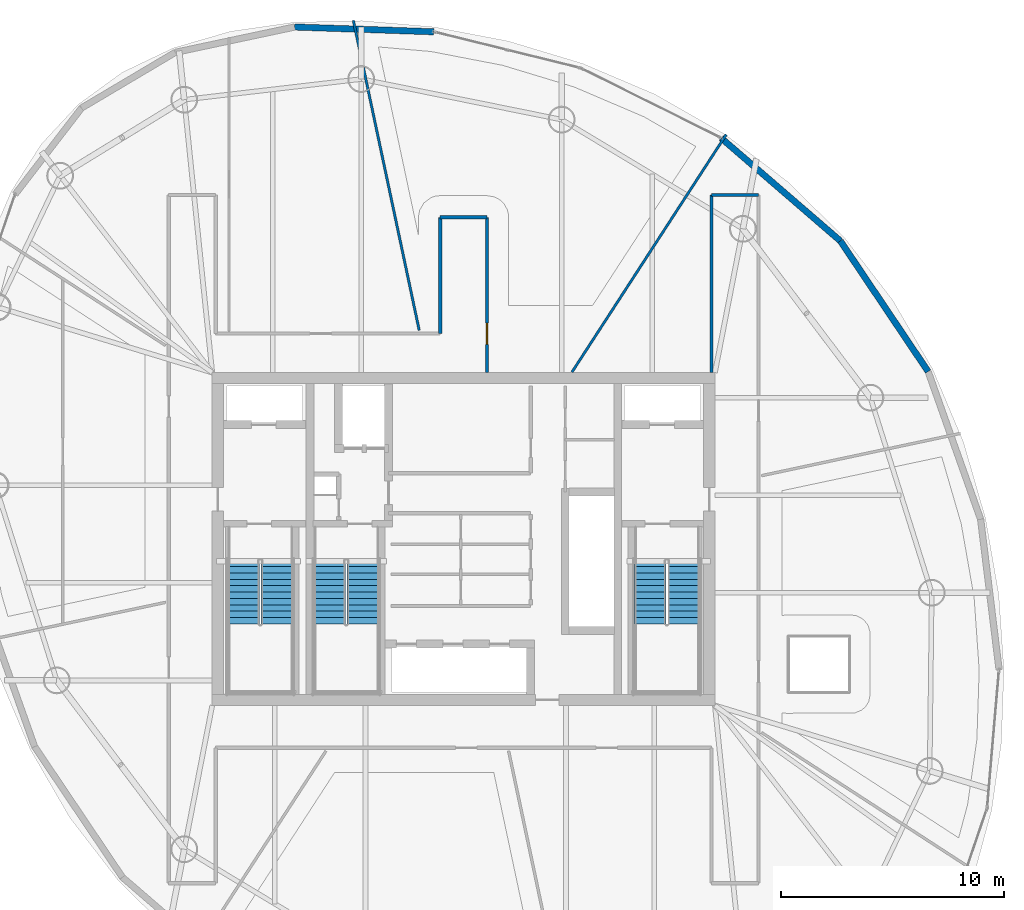
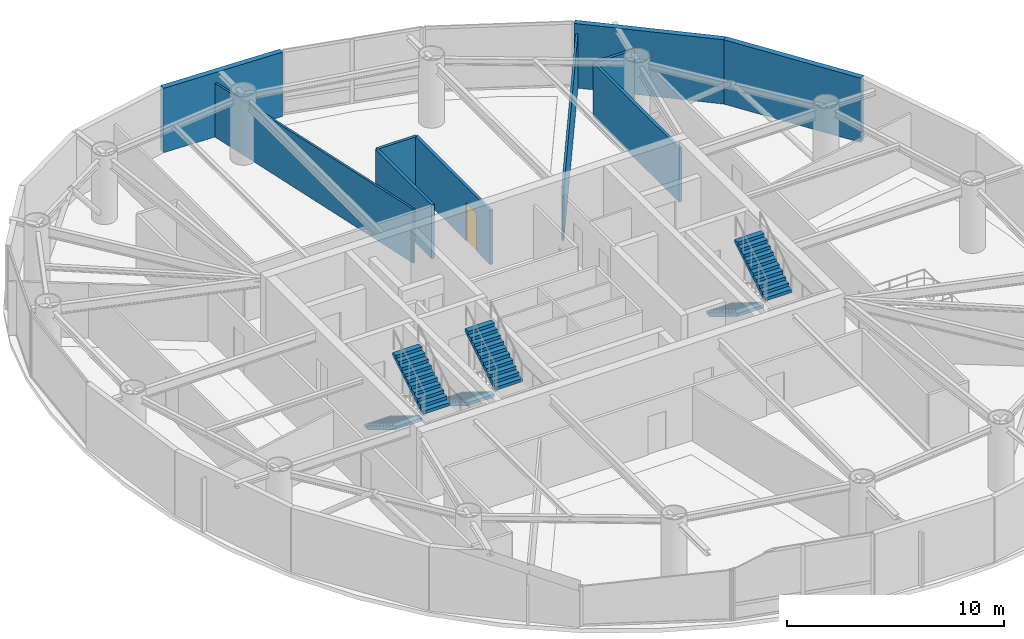
# One storey, part 18 of 22: 10 walls, 6 stair flights, 1 door, 1 opening, 3 elements without a shape of their own.
"""IFC4 building model written with IfcOpenShell, lengths in metres."""

from ifc_helpers import new_model, si_unit, direction, frame, frame_2d, origin, place, context, subcontext, project, spatial, polyline, rectangle, outline, extrude, material, layer, layer_set, type_object, element, fill, aggregate, save


model = new_model("IFC4")

# Units and contexts
model_context = context("Model", 3, precision=1e-05, world=origin(), true_north=direction((0.0, 1.0)))
body_context = subcontext(model_context, "Body", "Model", "MODEL_VIEW")
ifc_project = project(units=[si_unit("LENGTHUNIT", "METRE"), si_unit("AREAUNIT", "SQUARE_METRE"), si_unit("VOLUMEUNIT", "CUBIC_METRE"), si_unit("PLANEANGLEUNIT", "RADIAN"), si_unit("MASSUNIT", "GRAM", prefix="KILO")], contexts=[model_context])

# Site, building, storey
site_placement = place(None, origin())
site = spatial("IfcSite", under=ifc_project, at=site_placement, CompositionType="ELEMENT")
building_placement = place(site_placement, origin())
building = spatial("IfcBuilding", under=site, at=building_placement, Name="Bramvorn Convention Spire", CompositionType="ELEMENT")
storey_placement = place(building_placement, frame((0.0, 0.0, 225.10009765625)))
storey = spatial("IfcBuildingStorey", under=building, at=storey_placement, Name="L57", CompositionType="ELEMENT", Elevation=225.10009765625)

# Walls
ifc_material_1 = material(Name="Precast Concrete C40/50 with Bronze Terracotta Rainscreen", Category="masonry")
ifc_layer_1 = layer(ifc_material_1, 0.300048828125)
ifc_layer_set_1 = layer_set([ifc_layer_1], Name="Precast Concrete C40/50 with Bronze Terracotta Rainscreen - WL-EXT-BRONZE-300")
wall_type_1 = type_object("IfcWallType", Name="WL-EXT-BRONZE-300", PredefinedType="SOLIDWALL", material=ifc_layer_set_1)
wall_1_placement = place(storey_placement, frame((54.864013671875, 39.3427734375, 0.0), z_axis=(0.0, 0.0, 1.0), x_axis=(0.557791037404, -0.829981420631, 0.0)))
element("IfcWall", 1, at=wall_1_placement, inside=storey, type_object=wall_type_1, Name="L57 expressed bronze Gothic lancet pier wall 06", PredefinedType="SOLIDWALL", context=body_context, shape_type="SweptSolid", body=[
    extrude(rectangle(XDim=7.04541015625, YDim=0.280029296875, at=frame_2d((3.522705078125, 0.0))), origin(), (0.0, 0.0, 1.0), 3.619873046875),
])
wall_2_placement = place(storey_placement, frame((49.53076171875, 43.94677734375, 0.0), z_axis=(0.0, 0.0, 1.0), x_axis=(0.756962457783, -0.65345836708, 0.0)))
element("IfcWall", 2, at=wall_2_placement, inside=storey, type_object=wall_type_1, Name="L57 expressed bronze Gothic lancet pier wall 07", PredefinedType="SOLIDWALL", context=body_context, shape_type="SweptSolid", body=[
    extrude(rectangle(XDim=7.045654296875, YDim=0.280029296875, at=frame_2d((3.52294921875, 0.0))), origin(), (0.0, 0.0, 1.0), 3.619873046875),
])
wall_3_placement = place(storey_placement, frame((30.439697265625, 48.917236328125, 0.0), z_axis=(0.0, 0.0, 1.0), x_axis=(0.999408557878, -0.03438799848, 0.0)))
element("IfcWall", 3, at=wall_3_placement, inside=storey, type_object=wall_type_1, Name="L57 expressed bronze Gothic lancet pier wall 10", PredefinedType="SOLIDWALL", context=body_context, shape_type="SweptSolid", body=[
    extrude(rectangle(XDim=6.226318359375, YDim=0.280029296875, at=frame_2d((3.11328125, 0.0))), origin(), (0.0, 0.0, 1.0), 3.619873046875),
])
ifc_material_2 = material(Name="Lightweight En-Suite & Wet-Wall Partition", Category="gypsum")
ifc_layer_2 = layer(ifc_material_2, 0.110107421875)
ifc_layer_set_2 = layer_set([ifc_layer_2], Name="Lightweight En-Suite & Wet-Wall Partition - WL-PART-110")
wall_type_2 = type_object("IfcWallType", Name="WL-PART-110", PredefinedType="PARTITIONING", material=ifc_layer_set_2)
wall_4_placement = place(storey_placement, frame((42.85107421875, 33.469970703125, 0.0), z_axis=(0.0, 0.0, 1.0), x_axis=(0.544639202203, 0.838670459372, 0.0)))
element("IfcWall", 4, at=wall_4_placement, inside=storey, type_object=wall_type_2, Name="L57 Tenant suite partition 2", PredefinedType="PARTITIONING", context=body_context, shape_type="SweptSolid", body=[
    extrude(rectangle(XDim=12.68408203125, YDim=0.110107421875, at=frame_2d((6.342041015625, 0.0))), origin(), (0.0, 0.0, 1.0), 3.034912109375),
])
wall_5_placement = place(storey_placement, frame((36.0146484375, 35.340087890625, 0.0), z_axis=(0.0, 0.0, 1.0), x_axis=(-0.207907317932, 0.978148530209, 0.0)))
element("IfcWall", 5, at=wall_5_placement, inside=storey, type_object=wall_type_2, Name="L57 Tenant suite partition 3", PredefinedType="PARTITIONING", context=body_context, shape_type="SweptSolid", body=[
    extrude(rectangle(XDim=14.18994140625, YDim=0.110107421875, at=frame_2d((7.094970703125, 0.0))), origin(), (0.0, 0.0, 1.0), 3.034912109375),
])
ifc_material_3 = material(Name="Acoustic Metal-Stud Tenant/Corridor Partition", Category="gypsum")
ifc_layer_3 = layer(ifc_material_3, 0.14990234375)
ifc_layer_set_3 = layer_set([ifc_layer_3], Name="Acoustic Metal-Stud Tenant/Corridor Partition - WL-PART-150")
wall_type_3 = type_object("IfcWallType", Name="WL-PART-150", PredefinedType="PARTITIONING", material=ifc_layer_set_3)
wall_6_placement = place(storey_placement, frame((49.10009765625, 33.449951171875, 0.0), z_axis=(0.0, 0.0, 1.0), x_axis=(0.0, 1.0, 0.0)))
element("IfcWall", 6, at=wall_6_placement, inside=storey, type_object=wall_type_3, Name="L57 East gallery NW wall", PredefinedType="PARTITIONING", context=body_context, shape_type="SweptSolid", body=[
    extrude(rectangle(XDim=7.949951171875, YDim=0.14990234375, at=frame_2d((3.97509765625, 0.0))), origin(), (0.0, 0.0, 1.0), 3.034912109375),
])
wall_7_placement = place(storey_placement, frame((49.10009765625, 41.39990234375, 0.0), z_axis=(0.0, 0.0, 1.0), x_axis=(1.0, 0.0, 0.0)))
element("IfcWall", 7, at=wall_7_placement, inside=storey, type_object=wall_type_3, Name="L57 East gallery north end", PredefinedType="PARTITIONING", context=body_context, shape_type="SweptSolid", body=[
    extrude(rectangle(XDim=2.099853515625, YDim=0.14990234375, at=frame_2d((1.0498046875, 0.0))), origin(), (0.0, 0.0, 1.0), 3.034912109375),
])
wall_8_placement = place(storey_placement, frame((36.949951171875, 35.199951171875, 0.0), z_axis=(0.0, 0.0, 1.0), x_axis=(0.0, 1.0, 0.0)))
element("IfcWall", 8, at=wall_8_placement, inside=storey, type_object=wall_type_3, Name="L57 North spur west wall", PredefinedType="PARTITIONING", context=body_context, shape_type="SweptSolid", body=[
    extrude(rectangle(XDim=5.199951171875, YDim=0.14990234375, at=frame_2d((2.60009765625, 0.0))), origin(), (0.0, 0.0, 1.0), 3.034912109375),
])

# Wall, opening, door
wall_9_placement = place(storey_placement, frame((39.050048828125, 33.449951171875, 0.0), z_axis=(0.0, 0.0, 1.0), x_axis=(0.0, 1.0, 0.0)))
wall_9 = element("IfcWall", 9, at=wall_9_placement, inside=storey, type_object=wall_type_3, Name="L57 North spur east wall", PredefinedType="PARTITIONING", context=body_context, shape_type="SweptSolid", body=[
    extrude(rectangle(XDim=6.949951171875, YDim=0.14990234375, at=frame_2d((3.47509765625, 0.0))), origin(), (0.0, 0.0, 1.0), 3.034912109375),
])
opening_placement = place(wall_9_placement, frame((1.262451171875, 0.0, 0.0)))
opening = element("IfcOpeningElement", 10, at=opening_placement, cuts=wall_9, Name="Opening DH-095", PredefinedType="OPENING", context=body_context, shape_type="SweptSolid", body=[
    extrude(rectangle(XDim=0.949951171875, YDim=2.14990234375, at=frame_2d((0.47509765625, 1.074951171875))), frame((0.0, 0.0849609375, 0.0), z_axis=(0.0, -1.0, 0.0), x_axis=(1.0, 0.0, 0.0)), (0.0, 0.0, 1.0), 0.169921875),
])
ifc_material_4 = material(Name="Solid-Core Acoustic Guestroom Entry Door", Category="wood")
door_type = type_object("IfcDoorType", Name="DR-HOTEL-950", OperationType="NOTDEFINED", PredefinedType="DOOR", material=ifc_material_4)
door_placement = place(opening_placement, origin())
door = element("IfcDoor", 11, at=door_placement, inside=storey, type_object=door_type, Name="L57 Partner Office Chamber 2 2 door", OperationType="SINGLE_SWING_LEFT", OverallHeight=2.14990234375, OverallWidth=0.949951171875, PredefinedType="DOOR", context=body_context, shape_type="SweptSolid", body=[
    extrude(rectangle(XDim=0.949951171875, YDim=2.14990234375, at=frame_2d((0.47509765625, 1.074951171875))), frame((0.0, 0.02490234375, 0.0), z_axis=(0.0, -1.0, 0.0), x_axis=(1.0, 0.0, 0.0)), (0.0, 0.0, 1.0), 0.050048828125),
])
fill(opening, door)

# Wall
wall_10_placement = place(storey_placement, frame((36.949951171875, 40.39990234375, 0.0), z_axis=(0.0, 0.0, 1.0), x_axis=(1.0, 0.0, 0.0)))
element("IfcWall", 12, at=wall_10_placement, inside=storey, type_object=wall_type_3, Name="L57 North spur end wall", PredefinedType="PARTITIONING", context=body_context, shape_type="SweptSolid", body=[
    extrude(rectangle(XDim=2.10009765625, YDim=0.14990234375, at=frame_2d((1.050048828125, 0.0))), origin(), (0.0, 0.0, 1.0), 3.034912109375),
])

# Stair, stair flights
ifc_material_5 = material(Name="Concrete C40/50 Precast Stair", Category="concrete")
stair_type = type_object("IfcStairType", Name="ST-TOWER-1550", PredefinedType="HALF_TURN_STAIR", material=ifc_material_5)
stair_1_placement = place(storey_placement, origin())
stair_1 = element("IfcStair", 13, at=stair_1_placement, inside=storey, type_object=stair_type, Name="L57 Protected Exit Stair ST1", PredefinedType="HALF_TURN_STAIR")
ifc_material_6 = material(Name="Concrete C40/50 Precast Stair Flight", Category="concrete")
stair_flight_type = type_object("IfcStairFlightType", Name="STF-TOWER-1550", PredefinedType="STRAIGHT", material=ifc_material_6)
stair_flight_1_placement = place(storey_placement, frame((28.155029296875, 25.050048828125, 0.0), z_axis=(0.0, 0.0, 1.0), x_axis=(0.0, -1.0, 0.0)))
stair_flight_1 = element("IfcStairFlight", 14, at=stair_flight_1_placement, type_object=stair_flight_type, Name="ST1 flight 1", NumberOfRisers=11, NumberOfTreads=10, PredefinedType="STRAIGHT", RiserHeight=0.175, TreadLength=0.285, context=body_context, shape_type="SweptSolid", body=[
    extrude(outline(polyline([(0.0, 0.0), (0.0, 0.175048828125), (0.284912109375, 0.175048828125), (0.284912109375, 0.35009765625), (0.570068359375, 0.35009765625), (0.570068359375, 0.52490234375), (0.85498046875, 0.52490234375), (0.85498046875, 0.699951171875), (1.139892578125, 0.699951171875), (1.139892578125, 0.875), (1.425048828125, 0.875), (1.425048828125, 1.050048828125), (1.7099609375, 1.050048828125), (1.7099609375, 1.22509765625), (1.9951171875, 1.22509765625), (1.9951171875, 1.39990234375), (2.280029296875, 1.39990234375), (2.280029296875, 1.574951171875), (2.56494140625, 1.574951171875), (2.56494140625, 1.75), (2.85009765625, 1.75), (2.85009765625, 1.925048828125), (2.85009765625, 1.573974609375), (0.286376953125, 0.0), (0.0, 0.0)])), frame((0.0, 0.705078125, 0.0), z_axis=(0.0, -1.0, 0.0), x_axis=(1.0, 0.0, 0.0)), (0.0, 0.0, 1.0), 1.409912109375),
])
stair_flight_2_placement = place(storey_placement, frame((29.64501953125, 22.199951171875, 1.9248046875), z_axis=(0.0, 0.0, 1.0), x_axis=(0.0, 1.0, 0.0)))
stair_flight_2 = element("IfcStairFlight", 15, at=stair_flight_2_placement, type_object=stair_flight_type, Name="ST1 flight 2", NumberOfRisers=11, NumberOfTreads=10, PredefinedType="STRAIGHT", RiserHeight=0.175, TreadLength=0.285, context=body_context, shape_type="SweptSolid", body=[
    extrude(outline(polyline([(0.0, 0.0), (0.0, 0.175048828125), (0.284912109375, 0.175048828125), (0.284912109375, 0.35009765625), (0.570068359375, 0.35009765625), (0.570068359375, 0.52490234375), (0.85498046875, 0.52490234375), (0.85498046875, 0.699951171875), (1.139892578125, 0.699951171875), (1.139892578125, 0.875), (1.425048828125, 0.875), (1.425048828125, 1.050048828125), (1.7099609375, 1.050048828125), (1.7099609375, 1.22509765625), (1.9951171875, 1.22509765625), (1.9951171875, 1.39990234375), (2.280029296875, 1.39990234375), (2.280029296875, 1.574951171875), (2.56494140625, 1.574951171875), (2.56494140625, 1.75), (2.85009765625, 1.75), (2.85009765625, 1.925048828125), (2.85009765625, 1.573974609375), (0.286376953125, 0.0), (0.0, 0.0)])), frame((0.0, 0.705078125, 0.0), z_axis=(0.0, -1.0, 0.0), x_axis=(1.0, 0.0, 0.0)), (0.0, 0.0, 1.0), 1.409912109375),
])
aggregate(stair_1, [stair_flight_1, stair_flight_2])

stair_2_placement = place(storey_placement, origin())
stair_2 = element("IfcStair", 16, at=stair_2_placement, inside=storey, type_object=stair_type, Name="L57 Protected Exit Stair ST2", PredefinedType="HALF_TURN_STAIR")
stair_flight_3_placement = place(storey_placement, frame((46.35498046875, 25.050048828125, 0.0), z_axis=(0.0, 0.0, 1.0), x_axis=(0.0, -1.0, 0.0)))
stair_flight_3 = element("IfcStairFlight", 17, at=stair_flight_3_placement, type_object=stair_flight_type, Name="ST2 flight 1", NumberOfRisers=11, NumberOfTreads=10, PredefinedType="STRAIGHT", RiserHeight=0.175, TreadLength=0.285, context=body_context, shape_type="SweptSolid", body=[
    extrude(outline(polyline([(0.0, 0.0), (0.0, 0.175048828125), (0.284912109375, 0.175048828125), (0.284912109375, 0.35009765625), (0.570068359375, 0.35009765625), (0.570068359375, 0.52490234375), (0.85498046875, 0.52490234375), (0.85498046875, 0.699951171875), (1.139892578125, 0.699951171875), (1.139892578125, 0.875), (1.425048828125, 0.875), (1.425048828125, 1.050048828125), (1.7099609375, 1.050048828125), (1.7099609375, 1.22509765625), (1.9951171875, 1.22509765625), (1.9951171875, 1.39990234375), (2.280029296875, 1.39990234375), (2.280029296875, 1.574951171875), (2.56494140625, 1.574951171875), (2.56494140625, 1.75), (2.85009765625, 1.75), (2.85009765625, 1.925048828125), (2.85009765625, 1.573974609375), (0.286376953125, 0.0), (0.0, 0.0)])), frame((0.0, 0.705078125, 0.0), z_axis=(0.0, -1.0, 0.0), x_axis=(1.0, 0.0, 0.0)), (0.0, 0.0, 1.0), 1.409912109375),
])
stair_flight_4_placement = place(storey_placement, frame((47.844970703125, 22.199951171875, 1.9248046875), z_axis=(0.0, 0.0, 1.0), x_axis=(0.0, 1.0, 0.0)))
stair_flight_4 = element("IfcStairFlight", 18, at=stair_flight_4_placement, type_object=stair_flight_type, Name="ST2 flight 2", NumberOfRisers=11, NumberOfTreads=10, PredefinedType="STRAIGHT", RiserHeight=0.175, TreadLength=0.285, context=body_context, shape_type="SweptSolid", body=[
    extrude(outline(polyline([(0.0, 0.0), (0.0, 0.175048828125), (0.284912109375, 0.175048828125), (0.284912109375, 0.35009765625), (0.570068359375, 0.35009765625), (0.570068359375, 0.52490234375), (0.85498046875, 0.52490234375), (0.85498046875, 0.699951171875), (1.139892578125, 0.699951171875), (1.139892578125, 0.875), (1.425048828125, 0.875), (1.425048828125, 1.050048828125), (1.7099609375, 1.050048828125), (1.7099609375, 1.22509765625), (1.9951171875, 1.22509765625), (1.9951171875, 1.39990234375), (2.280029296875, 1.39990234375), (2.280029296875, 1.574951171875), (2.56494140625, 1.574951171875), (2.56494140625, 1.75), (2.85009765625, 1.75), (2.85009765625, 1.925048828125), (2.85009765625, 1.573974609375), (0.286376953125, 0.0), (0.0, 0.0)])), frame((0.0, 0.705078125, 0.0), z_axis=(0.0, -1.0, 0.0), x_axis=(1.0, 0.0, 0.0)), (0.0, 0.0, 1.0), 1.409912109375),
])
aggregate(stair_2, [stair_flight_3, stair_flight_4])

stair_3_placement = place(storey_placement, origin())
stair_3 = element("IfcStair", 19, at=stair_3_placement, inside=storey, type_object=stair_type, Name="L57 Protected Exit Stair ST3", PredefinedType="HALF_TURN_STAIR")
stair_flight_5_placement = place(storey_placement, frame((32.0048828125, 25.050048828125, 0.0), z_axis=(0.0, 0.0, 1.0), x_axis=(0.0, -1.0, 0.0)))
stair_flight_5 = element("IfcStairFlight", 20, at=stair_flight_5_placement, type_object=stair_flight_type, Name="ST3 flight 1", NumberOfRisers=11, NumberOfTreads=10, PredefinedType="STRAIGHT", RiserHeight=0.175, TreadLength=0.285, context=body_context, shape_type="SweptSolid", body=[
    extrude(outline(polyline([(0.0, 0.0), (0.0, 0.175048828125), (0.284912109375, 0.175048828125), (0.284912109375, 0.35009765625), (0.570068359375, 0.35009765625), (0.570068359375, 0.52490234375), (0.85498046875, 0.52490234375), (0.85498046875, 0.699951171875), (1.139892578125, 0.699951171875), (1.139892578125, 0.875), (1.425048828125, 0.875), (1.425048828125, 1.050048828125), (1.7099609375, 1.050048828125), (1.7099609375, 1.22509765625), (1.9951171875, 1.22509765625), (1.9951171875, 1.39990234375), (2.280029296875, 1.39990234375), (2.280029296875, 1.574951171875), (2.56494140625, 1.574951171875), (2.56494140625, 1.75), (2.85009765625, 1.75), (2.85009765625, 1.925048828125), (2.85009765625, 1.573974609375), (0.286376953125, 0.0), (0.0, 0.0)])), frame((0.0, 0.705078125, 0.0), z_axis=(0.0, -1.0, 0.0), x_axis=(1.0, 0.0, 0.0)), (0.0, 0.0, 1.0), 1.409912109375),
])
stair_flight_6_placement = place(storey_placement, frame((33.4951171875, 22.199951171875, 1.9248046875), z_axis=(0.0, 0.0, 1.0), x_axis=(0.0, 1.0, 0.0)))
stair_flight_6 = element("IfcStairFlight", 21, at=stair_flight_6_placement, type_object=stair_flight_type, Name="ST3 flight 2", NumberOfRisers=11, NumberOfTreads=10, PredefinedType="STRAIGHT", RiserHeight=0.175, TreadLength=0.285, context=body_context, shape_type="SweptSolid", body=[
    extrude(outline(polyline([(0.0, 0.0), (0.0, 0.175048828125), (0.284912109375, 0.175048828125), (0.284912109375, 0.35009765625), (0.570068359375, 0.35009765625), (0.570068359375, 0.52490234375), (0.85498046875, 0.52490234375), (0.85498046875, 0.699951171875), (1.139892578125, 0.699951171875), (1.139892578125, 0.875), (1.425048828125, 0.875), (1.425048828125, 1.050048828125), (1.7099609375, 1.050048828125), (1.7099609375, 1.22509765625), (1.9951171875, 1.22509765625), (1.9951171875, 1.39990234375), (2.280029296875, 1.39990234375), (2.280029296875, 1.574951171875), (2.56494140625, 1.574951171875), (2.56494140625, 1.75), (2.85009765625, 1.75), (2.85009765625, 1.925048828125), (2.85009765625, 1.573974609375), (0.286376953125, 0.0), (0.0, 0.0)])), frame((0.0, 0.705078125, 0.0), z_axis=(0.0, -1.0, 0.0), x_axis=(1.0, 0.0, 0.0)), (0.0, 0.0, 1.0), 1.409912109375),
])
aggregate(stair_3, [stair_flight_5, stair_flight_6])

save(model, "model.ifc")
